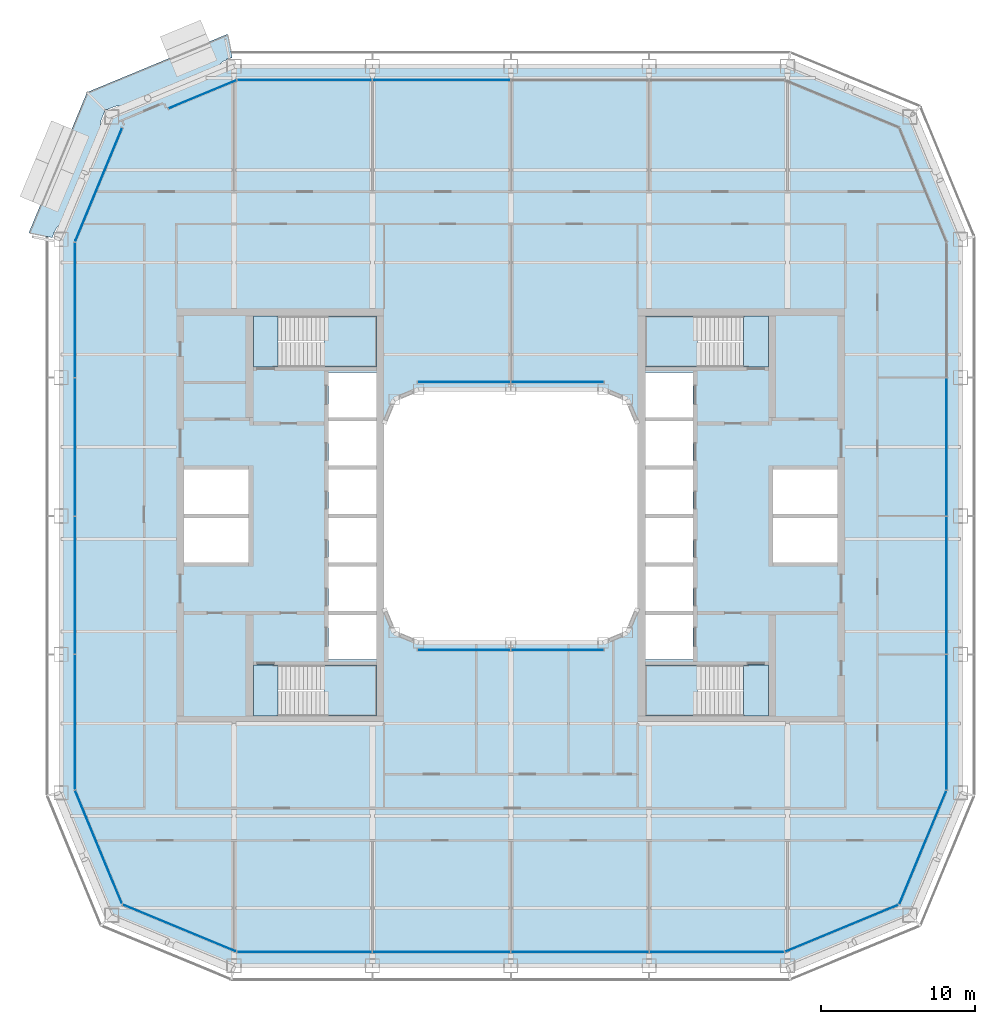
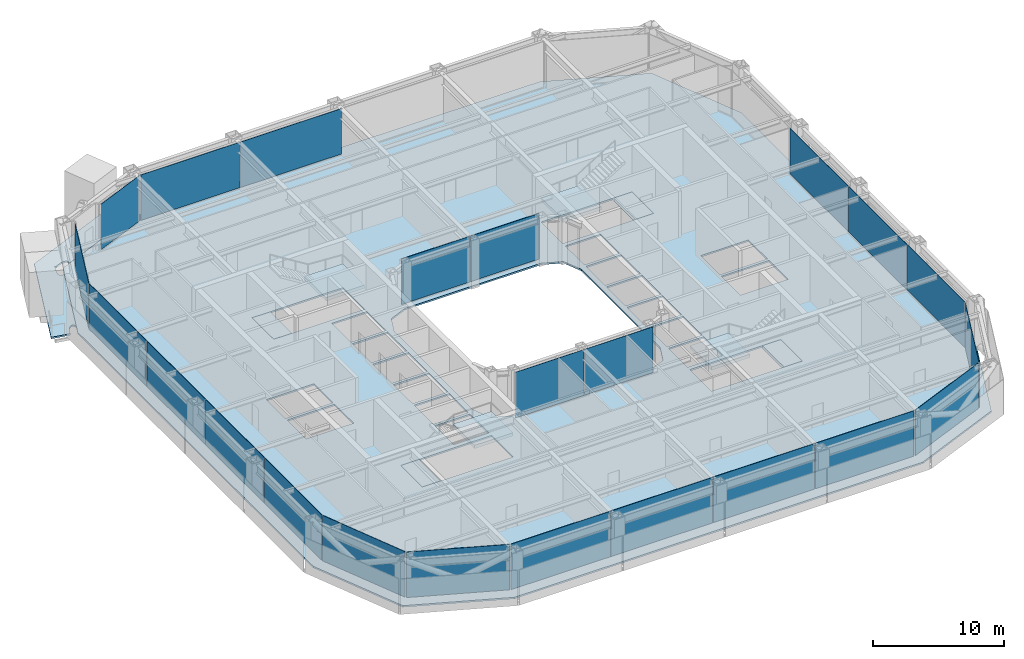
# One storey, part 10 of 23: 23 plates, 10 slabs, 16 elements without a shape of their own.
"""IFC4 building model written with IfcOpenShell, lengths in metres."""

from ifc_helpers import new_model, si_unit, direction, frame, origin, origin_2d, place, context, subcontext, project, spatial, polyline, rectangle, outline, extrude, material, layer, layer_set, type_object, element, aggregate, save


model = new_model("IFC4")

# Units and contexts
model_context = context("Model", 3, precision=1e-05, world=origin(), true_north=direction((0.0, 1.0)))
body_context = subcontext(model_context, "Body", "Model", "MODEL_VIEW")
ifc_project = project(units=[si_unit("LENGTHUNIT", "METRE"), si_unit("AREAUNIT", "SQUARE_METRE"), si_unit("VOLUMEUNIT", "CUBIC_METRE"), si_unit("PLANEANGLEUNIT", "RADIAN"), si_unit("MASSUNIT", "GRAM", prefix="KILO")], contexts=[model_context])

# Site, building, storey
site_placement = place(None, origin())
site = spatial("IfcSite", under=ifc_project, at=site_placement, CompositionType="ELEMENT")
building_placement = place(site_placement, origin())
building = spatial("IfcBuilding", under=site, at=building_placement, Name="Siwar Civic Tower", CompositionType="ELEMENT")
storey_placement = place(building_placement, frame((0.0, 0.0, 136.199951171875)))
storey = spatial("IfcBuildingStorey", under=building, at=storey_placement, Name="L29", CompositionType="ELEMENT", Elevation=136.199951171875)

# Stair, slabs
ifc_material_1 = material(Name="Concrete C40/50", Category="concrete")
stair_type = type_object("IfcStairType", Name="CORE-STAIR", PredefinedType="TWO_STRAIGHT_RUN_STAIR", material=ifc_material_1)
stair_1_placement = place(storey_placement, origin())
stair_1 = element("IfcStair", 1, at=stair_1_placement, inside=storey, type_object=stair_type, Name="Exit stair ST1", PredefinedType="TWO_STRAIGHT_RUN_STAIR")
ifc_material_2 = material(Name="Concrete C40/50", Category="concrete")
ifc_layer_1 = layer(ifc_material_2, 0.300048828125)
ifc_layer_set_1 = layer_set([ifc_layer_1], Name="Concrete C40/50")
slab_type_1 = type_object("IfcSlabType", Name="CORE-STAIR-LANDING", PredefinedType="LANDING", material=ifc_layer_set_1)
slab_1_placement = place(storey_placement, frame((0.0, 0.0, -0.300048828125)))
slab_1 = element("IfcSlab", 2, at=slab_1_placement, type_object=slab_type_1, Name="ST1 landing 1", PredefinedType="LANDING", context=body_context, shape_type="SweptSolid", body=[
    extrude(outline(polyline([(-15.14990234375, 13.0), (-16.75, 13.0), (-16.75, 9.699951171875), (-15.14990234375, 9.699951171875), (-15.14990234375, 13.0)])), origin(), (0.0, 0.0, 1.0), 0.300048828125),
])
slab_2_placement = place(storey_placement, frame((0.0, 0.0, 1.949951171875)))
slab_2 = element("IfcSlab", 3, at=slab_2_placement, type_object=slab_type_1, Name="ST1 landing 2", PredefinedType="LANDING", context=body_context, shape_type="SweptSolid", body=[
    extrude(outline(polyline([(-8.75, 13.0), (-12.139892578125, 13.0), (-12.139892578125, 9.699951171875), (-8.75, 9.699951171875), (-8.75, 13.0)])), origin(), (0.0, 0.0, 1.0), 0.300048828125),
])
aggregate(stair_1, [slab_1, slab_2])

stair_2_placement = place(storey_placement, origin())
stair_2 = element("IfcStair", 4, at=stair_2_placement, inside=storey, type_object=stair_type, Name="Exit stair ST2", PredefinedType="TWO_STRAIGHT_RUN_STAIR")
slab_3_placement = place(storey_placement, frame((0.0, 0.0, -0.300048828125)))
slab_3 = element("IfcSlab", 5, at=slab_3_placement, type_object=slab_type_1, Name="ST2 landing 1", PredefinedType="LANDING", context=body_context, shape_type="SweptSolid", body=[
    extrude(outline(polyline([(-15.14990234375, -9.699951171875), (-16.75, -9.699951171875), (-16.75, -13.0), (-15.14990234375, -13.0), (-15.14990234375, -9.699951171875)])), origin(), (0.0, 0.0, 1.0), 0.300048828125),
])
slab_4_placement = place(storey_placement, frame((0.0, 0.0, 1.949951171875)))
slab_4 = element("IfcSlab", 6, at=slab_4_placement, type_object=slab_type_1, Name="ST2 landing 2", PredefinedType="LANDING", context=body_context, shape_type="SweptSolid", body=[
    extrude(outline(polyline([(-8.75, -9.699951171875), (-12.139892578125, -9.699951171875), (-12.139892578125, -13.0), (-8.75, -13.0), (-8.75, -9.699951171875)])), origin(), (0.0, 0.0, 1.0), 0.300048828125),
])
aggregate(stair_2, [slab_3, slab_4])

stair_3_placement = place(storey_placement, origin())
stair_3 = element("IfcStair", 7, at=stair_3_placement, inside=storey, type_object=stair_type, Name="Exit stair ST3", PredefinedType="TWO_STRAIGHT_RUN_STAIR")
slab_5_placement = place(storey_placement, frame((0.0, 0.0, -0.300048828125)))
slab_5 = element("IfcSlab", 8, at=slab_5_placement, type_object=slab_type_1, Name="ST3 landing 1", PredefinedType="LANDING", context=body_context, shape_type="SweptSolid", body=[
    extrude(outline(polyline([(15.14990234375, 9.699951171875), (16.75, 9.699951171875), (16.75, 13.0), (15.14990234375, 13.0), (15.14990234375, 9.699951171875)])), origin(), (0.0, 0.0, 1.0), 0.300048828125),
])
slab_6_placement = place(storey_placement, frame((0.0, 0.0, 1.949951171875)))
slab_6 = element("IfcSlab", 9, at=slab_6_placement, type_object=slab_type_1, Name="ST3 landing 2", PredefinedType="LANDING", context=body_context, shape_type="SweptSolid", body=[
    extrude(outline(polyline([(8.75, 9.699951171875), (12.139892578125, 9.699951171875), (12.139892578125, 13.0), (8.75, 13.0), (8.75, 9.699951171875)])), origin(), (0.0, 0.0, 1.0), 0.300048828125),
])
aggregate(stair_3, [slab_5, slab_6])

stair_4_placement = place(storey_placement, origin())
stair_4 = element("IfcStair", 10, at=stair_4_placement, inside=storey, type_object=stair_type, Name="Exit stair ST4", PredefinedType="TWO_STRAIGHT_RUN_STAIR")
slab_7_placement = place(storey_placement, frame((0.0, 0.0, -0.300048828125)))
slab_7 = element("IfcSlab", 11, at=slab_7_placement, type_object=slab_type_1, Name="ST4 landing 1", PredefinedType="LANDING", context=body_context, shape_type="SweptSolid", body=[
    extrude(outline(polyline([(15.14990234375, -13.0), (16.75, -13.0), (16.75, -9.699951171875), (15.14990234375, -9.699951171875), (15.14990234375, -13.0)])), origin(), (0.0, 0.0, 1.0), 0.300048828125),
])
slab_8_placement = place(storey_placement, frame((0.0, 0.0, 1.949951171875)))
slab_8 = element("IfcSlab", 12, at=slab_8_placement, type_object=slab_type_1, Name="ST4 landing 2", PredefinedType="LANDING", context=body_context, shape_type="SweptSolid", body=[
    extrude(outline(polyline([(8.75, -13.0), (12.139892578125, -13.0), (12.139892578125, -9.699951171875), (8.75, -9.699951171875), (8.75, -13.0)])), origin(), (0.0, 0.0, 1.0), 0.300048828125),
])
aggregate(stair_4, [slab_7, slab_8])

# Slab
ifc_material_3 = material(Name="Concrete C40/50", Category="concrete")
ifc_layer_2 = layer(ifc_material_3, 0.14990234375)
ifc_layer_set_2 = layer_set([ifc_layer_2], Name="Concrete C40/50")
slab_type_2 = type_object("IfcSlabType", Name="ENV-BALCONY DECK 150", PredefinedType="FLOOR", material=ifc_layer_set_2)
slab_9_placement = place(storey_placement, frame((0.0, 0.0, -0.1494140625)))
element("IfcSlab", 13, at=slab_9_placement, inside=storey, type_object=slab_type_2, Name="Tree balcony deck NW", PredefinedType="FLOOR", context=body_context, shape_type="SweptSolid", body=[
    extrude(outline(polyline([(-26.263427734375, 26.43310546875), (-26.258056640625, 26.435546875), (-26.258056640625, 26.435546875), (-26.2333984375, 26.44580078125), (-26.151611328125, 26.479736328125), (-25.921875, 26.575439453125), (-25.897216796875, 26.585693359375), (-25.88916015625, 26.589111328125), (-25.88720703125, 26.58984375), (-25.81494140625, 26.617431640625), (-25.81005859375, 26.619140625), (-25.74462890625, 26.639404296875), (-25.740234375, 26.640625), (-25.673583984375, 26.65673828125), (-25.669189453125, 26.65771484375), (-25.601806640625, 26.669921875), (-25.59765625, 26.67041015625), (-25.529541015625, 26.6787109375), (-25.523681640625, 26.67919921875), (-25.517578125, 26.67919921875), (-25.406005859375, 26.6748046875), (-25.397216796875, 26.674072265625), (-25.388671875, 26.672119140625), (-25.345703125, 26.66015625), (-25.34130859375, 26.65869140625), (-25.299072265625, 26.64404296875), (-25.29150390625, 26.640869140625), (-25.284423828125, 26.63720703125), (-25.251220703125, 26.61669921875), (-25.247802734375, 26.614501953125), (-25.216064453125, 26.59228515625), (-25.209716796875, 26.58740234375), (-25.203857421875, 26.581787109375), (-25.19873046875, 26.575439453125), (-25.1943359375, 26.56884765625), (-25.190673828125, 26.561767578125), (-25.177001953125, 26.531494140625), (-25.17529296875, 26.52734375), (-25.16357421875, 26.496337890625), (-25.1611328125, 26.488525390625), (-25.159423828125, 26.480712890625), (-25.15869140625, 26.47265625), (-25.15869140625, 26.464599609375), (-25.15966796875, 26.456787109375), (-25.166259765625, 26.418701171875), (-25.167236328125, 26.41455078125), (-25.176025390625, 26.376708984375), (-25.17822265625, 26.368896484375), (-25.181396484375, 26.361328125), (-25.20068359375, 26.321044921875), (-25.202880859375, 26.31689453125), (-25.224609375, 26.27783203125), (-25.2294921875, 26.2705078125), (-25.23486328125, 26.263671875), (-25.25048828125, 26.246826171875), (-18.724609375, 28.949951171875), (-18.77490234375, 28.951904296875), (-18.783447265625, 28.95263671875), (-18.7919921875, 28.95458984375), (-18.835205078125, 28.966552734375), (-18.839599609375, 28.968017578125), (-18.8818359375, 28.982666015625), (-18.889404296875, 28.98583984375), (-18.896484375, 28.98974609375), (-18.9296875, 29.010009765625), (-18.935302734375, 29.013916015625), (-18.940673828125, 29.018310546875), (-18.945556640625, 29.023193359375), (-18.968994140625, 29.048583984375), (-18.971923828125, 29.052001953125), (-18.99365234375, 29.078857421875), (-18.998046875, 29.084716796875), (-19.001708984375, 29.0908203125), (-19.0048828125, 29.097412109375), (-19.00732421875, 29.104248046875), (-19.009033203125, 29.111083984375), (-19.01025390625, 29.118408203125), (-19.013671875, 29.15283203125), (-19.01416015625, 29.1572265625), (-19.015625, 29.19189453125), (-19.015625, 29.19873046875), (-19.01513671875, 29.20556640625), (-19.013671875, 29.21240234375), (-19.0048828125, 29.25), (-19.002685546875, 29.2578125), (-18.99951171875, 29.265380859375), (-18.980224609375, 29.305908203125), (-18.97802734375, 29.309814453125), (-18.956298828125, 29.348876953125), (-18.951416015625, 29.356201171875), (-18.946044921875, 29.363037109375), (-18.870361328125, 29.4453125), (-18.865966796875, 29.44970703125), (-18.861572265625, 29.453369140625), (-18.8076171875, 29.495849609375), (-18.80419921875, 29.498291015625), (-18.748046875, 29.53759765625), (-18.744384765625, 29.5400390625), (-18.68603515625, 29.575927734375), (-18.681884765625, 29.578369140625), (-18.62158203125, 29.610595703125), (-18.616943359375, 29.61279296875), (-18.54638671875, 29.64453125), (-18.54443359375, 29.645263671875), (-18.4951171875, 29.665771484375), (-18.47509765625, 29.674072265625), (-18.47509765625, 29.72509765625), (-18.352783203125, 29.72509765625), (-18.314697265625, 29.740966796875), (-18.232666015625, 29.775146484375), (-18.19970703125, 29.788818359375), (-18.175048828125, 29.798828125), (-18.175048828125, 29.798828125), (-18.16748046875, 29.8017578125), (-18.148193359375, 29.807373046875), (-18.140625, 29.80908203125), (-18.1328125, 29.81005859375), (-18.1123046875, 29.8115234375), (-18.11181640625, 29.8115234375), (-18.417724609375, 31.35009765625), (-27.562255859375, 27.562255859375), (-31.35009765625, 18.417724609375), (-29.80810546875, 18.111083984375), (-29.808349609375, 18.114013671875), (-29.80859375, 18.13037109375), (-29.808349609375, 18.136962890625), (-29.8076171875, 18.1435546875), (-29.80615234375, 18.150146484375), (-29.80224609375, 18.1650390625), (-29.798828125, 18.175048828125), (-29.788818359375, 18.19970703125), (-29.755615234375, 18.279052734375), (-29.740966796875, 18.314697265625), (-29.72509765625, 18.352783203125), (-29.72509765625, 18.47509765625), (-29.674072265625, 18.47509765625), (-29.665771484375, 18.4951171875), (-29.645263671875, 18.54443359375), (-29.64453125, 18.54638671875), (-29.61279296875, 18.616943359375), (-29.610595703125, 18.62158203125), (-29.578369140625, 18.681884765625), (-29.575927734375, 18.68603515625), (-29.5400390625, 18.744384765625), (-29.53759765625, 18.748046875), (-29.498291015625, 18.80419921875), (-29.495849609375, 18.8076171875), (-29.453369140625, 18.861572265625), (-29.44970703125, 18.865966796875), (-29.4453125, 18.870361328125), (-29.363037109375, 18.946044921875), (-29.356201171875, 18.951416015625), (-29.348876953125, 18.956298828125), (-29.309814453125, 18.97802734375), (-29.305908203125, 18.980224609375), (-29.265380859375, 18.99951171875), (-29.2578125, 19.002685546875), (-29.25, 19.0048828125), (-29.21240234375, 19.013671875), (-29.20556640625, 19.01513671875), (-29.19873046875, 19.015625), (-29.19189453125, 19.015625), (-29.1572265625, 19.01416015625), (-29.15283203125, 19.013671875), (-29.118408203125, 19.01025390625), (-29.111083984375, 19.009033203125), (-29.104248046875, 19.00732421875), (-29.097412109375, 19.0048828125), (-29.0908203125, 19.001708984375), (-29.084716796875, 18.998046875), (-29.078857421875, 18.99365234375), (-29.052001953125, 18.971923828125), (-29.048583984375, 18.968994140625), (-29.023193359375, 18.945556640625), (-29.018310546875, 18.940673828125), (-29.013916015625, 18.935302734375), (-29.010009765625, 18.9296875), (-28.98974609375, 18.896484375), (-28.98583984375, 18.889404296875), (-28.982666015625, 18.8818359375), (-28.968017578125, 18.839599609375), (-28.966552734375, 18.835205078125), (-28.95458984375, 18.7919921875), (-28.95263671875, 18.783447265625), (-28.951904296875, 18.77490234375), (-28.949951171875, 18.724609375), (-26.246826171875, 25.25048828125), (-26.263671875, 25.23486328125), (-26.2705078125, 25.2294921875), (-26.27783203125, 25.224609375), (-26.31689453125, 25.202880859375), (-26.321044921875, 25.20068359375), (-26.361328125, 25.181396484375), (-26.368896484375, 25.17822265625), (-26.376708984375, 25.176025390625), (-26.41455078125, 25.167236328125), (-26.418701171875, 25.166259765625), (-26.456787109375, 25.15966796875), (-26.464599609375, 25.15869140625), (-26.47265625, 25.15869140625), (-26.480712890625, 25.159423828125), (-26.488525390625, 25.1611328125), (-26.496337890625, 25.16357421875), (-26.52734375, 25.17529296875), (-26.531494140625, 25.177001953125), (-26.561767578125, 25.190673828125), (-26.56884765625, 25.1943359375), (-26.575439453125, 25.19873046875), (-26.581787109375, 25.203857421875), (-26.58740234375, 25.209716796875), (-26.59228515625, 25.216064453125), (-26.614501953125, 25.247802734375), (-26.61669921875, 25.251220703125), (-26.63720703125, 25.284423828125), (-26.640869140625, 25.29150390625), (-26.64404296875, 25.299072265625), (-26.65869140625, 25.34130859375), (-26.66015625, 25.345703125), (-26.672119140625, 25.388671875), (-26.674072265625, 25.397216796875), (-26.6748046875, 25.406005859375), (-26.67919921875, 25.517578125), (-26.67919921875, 25.523681640625), (-26.6787109375, 25.529541015625), (-26.67041015625, 25.59765625), (-26.669921875, 25.601806640625), (-26.65771484375, 25.669189453125), (-26.65673828125, 25.673583984375), (-26.640625, 25.740234375), (-26.639404296875, 25.74462890625), (-26.619140625, 25.81005859375), (-26.617431640625, 25.81494140625), (-26.58984375, 25.88720703125), (-26.589111328125, 25.88916015625), (-26.585693359375, 25.897216796875), (-26.575439453125, 25.921875), (-26.479736328125, 26.151611328125), (-26.44580078125, 26.2333984375), (-26.435546875, 26.258056640625), (-26.4306640625, 26.267578125), (-26.429931640625, 26.268798828125), (-26.429931640625, 26.429931640625), (-26.26953125, 26.429931640625), (-26.263427734375, 26.43310546875)])), origin(), (0.0, 0.0, 1.0), 0.1494140625),
])

# Curtain wall, plates
ifc_material_4 = material(Name="Aluminium and glass", Category="aluminium")
ifc_layer_3 = layer(ifc_material_4, 0.199951171875)
ifc_layer_set_3 = layer_set([ifc_layer_3], Name="Aluminium and glass")
curtain_wall_type_1 = type_object("IfcCurtainWallType", Name="ENV-CW-B", PredefinedType="NOTDEFINED", material=ifc_layer_set_3)
curtain_wall_1_placement = place(storey_placement, origin())
curtain_wall_1 = element("IfcCurtainWall", 14, at=curtain_wall_1_placement, inside=storey, type_object=curtain_wall_type_1, Name="Curtain wall B S", PredefinedType="NOTDEFINED")
ifc_material_5 = material(Name="Glass clear laminated", Category="glass")
ifc_layer_4 = layer(ifc_material_5, 0.033935546875)
ifc_layer_set_4 = layer_set([ifc_layer_4], Name="Glass clear laminated")
plate_type_1 = type_object("IfcPlateType", Name="ENV-PANEL-B", PredefinedType="CURTAIN_PANEL", material=ifc_layer_set_4)
plate_1_placement = place(storey_placement, frame((-13.410400390625, -28.35009765625, 0.10986328125), z_axis=(0.0, 0.0, 1.0), x_axis=(1.0, 0.0, 0.0)))
plate_1 = element("IfcPlate", 15, at=plate_1_placement, type_object=plate_type_1, Name="Curtain panel B S 1", PredefinedType="CURTAIN_PANEL", context=body_context, shape_type="SweptSolid", body=[
    extrude(rectangle(XDim=8.755859375, YDim=0.033935546875, at=origin_2d()), origin(), (0.0, 0.0, 1.0), 4.239990234375),
])
plate_2_placement = place(storey_placement, frame((-4.5, -28.35009765625, 0.10986328125), z_axis=(0.0, 0.0, 1.0), x_axis=(1.0, 0.0, 0.0)))
plate_2 = element("IfcPlate", 16, at=plate_2_placement, type_object=plate_type_1, Name="Curtain panel B S 2", PredefinedType="CURTAIN_PANEL", context=body_context, shape_type="SweptSolid", body=[
    extrude(rectangle(XDim=8.93505859375, YDim=0.033935546875, at=origin_2d()), origin(), (0.0, 0.0, 1.0), 4.239990234375),
])
plate_3_placement = place(storey_placement, frame((4.5, -28.35009765625, 0.10986328125), z_axis=(0.0, 0.0, 1.0), x_axis=(1.0, 0.0, 0.0)))
plate_3 = element("IfcPlate", 17, at=plate_3_placement, type_object=plate_type_1, Name="Curtain panel B S 3", PredefinedType="CURTAIN_PANEL", context=body_context, shape_type="SweptSolid", body=[
    extrude(rectangle(XDim=8.93505859375, YDim=0.033935546875, at=origin_2d()), origin(), (0.0, 0.0, 1.0), 4.239990234375),
])
plate_4_placement = place(storey_placement, frame((13.369873046875, -28.35009765625, 0.10986328125), z_axis=(0.0, 0.0, 1.0), x_axis=(1.0, 0.0, 0.0)))
plate_4 = element("IfcPlate", 18, at=plate_4_placement, type_object=plate_type_1, Name="Curtain panel B S 4", PredefinedType="CURTAIN_PANEL", context=body_context, shape_type="SweptSolid", body=[
    extrude(rectangle(XDim=8.6748046875, YDim=0.033935546875, at=origin_2d()), origin(), (0.0, 0.0, 1.0), 4.239990234375),
])
aggregate(curtain_wall_1, [plate_1, plate_2, plate_3, plate_4])

curtain_wall_2_placement = place(storey_placement, origin())
curtain_wall_2 = element("IfcCurtainWall", 19, at=curtain_wall_2_placement, inside=storey, type_object=curtain_wall_type_1, Name="Curtain wall B E", PredefinedType="NOTDEFINED")
plate_5_placement = place(storey_placement, frame((28.35009765625, -13.410400390625, 0.10986328125), z_axis=(0.0, 0.0, 1.0), x_axis=(0.0, 1.0, 0.0)))
plate_5 = element("IfcPlate", 20, at=plate_5_placement, type_object=plate_type_1, Name="Curtain panel B E 1", PredefinedType="CURTAIN_PANEL", context=body_context, shape_type="SweptSolid", body=[
    extrude(rectangle(XDim=8.755859375, YDim=0.033935546875, at=origin_2d()), origin(), (0.0, 0.0, 1.0), 4.239990234375),
])
plate_6_placement = place(storey_placement, frame((28.35009765625, -4.5, 0.10986328125), z_axis=(0.0, 0.0, 1.0), x_axis=(0.0, 1.0, 0.0)))
plate_6 = element("IfcPlate", 21, at=plate_6_placement, type_object=plate_type_1, Name="Curtain panel B E 2", PredefinedType="CURTAIN_PANEL", context=body_context, shape_type="SweptSolid", body=[
    extrude(rectangle(XDim=8.93505859375, YDim=0.033935546875, at=origin_2d()), origin(), (0.0, 0.0, 1.0), 4.239990234375),
])
plate_7_placement = place(storey_placement, frame((28.35009765625, 4.5, 0.10986328125), z_axis=(0.0, 0.0, 1.0), x_axis=(0.0, 1.0, 0.0)))
plate_7 = element("IfcPlate", 22, at=plate_7_placement, type_object=plate_type_1, Name="Curtain panel B E 3", PredefinedType="CURTAIN_PANEL", context=body_context, shape_type="SweptSolid", body=[
    extrude(rectangle(XDim=8.93505859375, YDim=0.033935546875, at=origin_2d()), origin(), (0.0, 0.0, 1.0), 4.239990234375),
])
aggregate(curtain_wall_2, [plate_5, plate_6, plate_7])

curtain_wall_3_placement = place(storey_placement, origin())
curtain_wall_3 = element("IfcCurtainWall", 23, at=curtain_wall_3_placement, inside=storey, type_object=curtain_wall_type_1, Name="Curtain wall B N", PredefinedType="NOTDEFINED")
plate_8_placement = place(storey_placement, frame((-4.5, 28.35009765625, 0.10986328125), z_axis=(0.0, 0.0, 1.0), x_axis=(-1.0, 0.0, 0.0)))
plate_8 = element("IfcPlate", 24, at=plate_8_placement, type_object=plate_type_1, Name="Curtain panel B N 3", PredefinedType="CURTAIN_PANEL", context=body_context, shape_type="SweptSolid", body=[
    extrude(rectangle(XDim=8.93505859375, YDim=0.033935546875, at=origin_2d()), origin(), (0.0, 0.0, 1.0), 4.239990234375),
])
plate_9_placement = place(storey_placement, frame((-13.369873046875, 28.35009765625, 0.10986328125), z_axis=(0.0, 0.0, 1.0), x_axis=(-1.0, 0.0, 0.0)))
plate_9 = element("IfcPlate", 25, at=plate_9_placement, type_object=plate_type_1, Name="Curtain panel B N 4", PredefinedType="CURTAIN_PANEL", context=body_context, shape_type="SweptSolid", body=[
    extrude(rectangle(XDim=8.6748046875, YDim=0.033935546875, at=origin_2d()), origin(), (0.0, 0.0, 1.0), 4.239990234375),
])
aggregate(curtain_wall_3, [plate_8, plate_9])

curtain_wall_4_placement = place(storey_placement, origin())
curtain_wall_4 = element("IfcCurtainWall", 26, at=curtain_wall_4_placement, inside=storey, type_object=curtain_wall_type_1, Name="Curtain wall B W", PredefinedType="NOTDEFINED")
plate_10_placement = place(storey_placement, frame((-28.35009765625, 13.410400390625, 0.10986328125), z_axis=(0.0, 0.0, 1.0), x_axis=(0.0, -1.0, 0.0)))
plate_10 = element("IfcPlate", 27, at=plate_10_placement, type_object=plate_type_1, Name="Curtain panel B W 1", PredefinedType="CURTAIN_PANEL", context=body_context, shape_type="SweptSolid", body=[
    extrude(rectangle(XDim=8.755859375, YDim=0.033935546875, at=origin_2d()), origin(), (0.0, 0.0, 1.0), 4.239990234375),
])
plate_11_placement = place(storey_placement, frame((-28.35009765625, 4.5, 0.10986328125), z_axis=(0.0, 0.0, 1.0), x_axis=(0.0, -1.0, 0.0)))
plate_11 = element("IfcPlate", 28, at=plate_11_placement, type_object=plate_type_1, Name="Curtain panel B W 2", PredefinedType="CURTAIN_PANEL", context=body_context, shape_type="SweptSolid", body=[
    extrude(rectangle(XDim=8.93505859375, YDim=0.033935546875, at=origin_2d()), origin(), (0.0, 0.0, 1.0), 4.239990234375),
])
plate_12_placement = place(storey_placement, frame((-28.35009765625, -4.5, 0.10986328125), z_axis=(0.0, 0.0, 1.0), x_axis=(0.0, -1.0, 0.0)))
plate_12 = element("IfcPlate", 29, at=plate_12_placement, type_object=plate_type_1, Name="Curtain panel B W 3", PredefinedType="CURTAIN_PANEL", context=body_context, shape_type="SweptSolid", body=[
    extrude(rectangle(XDim=8.93505859375, YDim=0.033935546875, at=origin_2d()), origin(), (0.0, 0.0, 1.0), 4.239990234375),
])
plate_13_placement = place(storey_placement, frame((-28.35009765625, -13.369873046875, 0.10986328125), z_axis=(0.0, 0.0, 1.0), x_axis=(0.0, -1.0, 0.0)))
plate_13 = element("IfcPlate", 30, at=plate_13_placement, type_object=plate_type_1, Name="Curtain panel B W 4", PredefinedType="CURTAIN_PANEL", context=body_context, shape_type="SweptSolid", body=[
    extrude(rectangle(XDim=8.6748046875, YDim=0.033935546875, at=origin_2d()), origin(), (0.0, 0.0, 1.0), 4.239990234375),
])
aggregate(curtain_wall_4, [plate_10, plate_11, plate_12, plate_13])

# Curtain wall, plate
ifc_material_6 = material(Name="Aluminium clad insulated panel", Category="aluminium")
ifc_layer_5 = layer(ifc_material_6, 0.199951171875)
ifc_layer_set_5 = layer_set([ifc_layer_5], Name="Aluminium clad insulated panel")
curtain_wall_type_2 = type_object("IfcCurtainWallType", Name="ENV-CW-BX", PredefinedType="NOTDEFINED", material=ifc_layer_set_5)
curtain_wall_5_placement = place(storey_placement, origin())
curtain_wall_5 = element("IfcCurtainWall", 31, at=curtain_wall_5_placement, inside=storey, type_object=curtain_wall_type_2, Name="Curtain wall B SE1", PredefinedType="NOTDEFINED")
ifc_material_7 = material(Name="Aluminium clad insulated panel", Category="aluminium")
ifc_layer_6 = layer(ifc_material_7, 0.033935546875)
ifc_layer_set_6 = layer_set([ifc_layer_6], Name="Aluminium clad insulated panel")
plate_type_2 = type_object("IfcPlateType", Name="ENV-PANEL-BX", PredefinedType="CURTAIN_PANEL", material=ifc_layer_set_6)
plate_14_placement = place(storey_placement, frame((21.506103515625, -26.823486328125, 0.10986328125), z_axis=(0.0, 0.0, 1.0), x_axis=(0.923879532511, 0.382683432365, 0.0)))
plate_14 = element("IfcPlate", 32, at=plate_14_placement, type_object=plate_type_2, Name="Curtain panel B SE1 1", PredefinedType="CURTAIN_PANEL", context=body_context, shape_type="SweptSolid", body=[
    extrude(rectangle(XDim=7.912353515625, YDim=0.033935546875, at=origin_2d()), origin(), (0.0, 0.0, 1.0), 4.239990234375),
])
aggregate(curtain_wall_5, [plate_14])

curtain_wall_6_placement = place(storey_placement, origin())
curtain_wall_6 = element("IfcCurtainWall", 33, at=curtain_wall_6_placement, inside=storey, type_object=curtain_wall_type_2, Name="Curtain wall B SE2", PredefinedType="NOTDEFINED")
plate_15_placement = place(storey_placement, frame((26.79248046875, -21.5810546875, 0.10986328125), z_axis=(0.0, 0.0, 1.0), x_axis=(0.382683432365, 0.923879532511, 0.0)))
plate_15 = element("IfcPlate", 34, at=plate_15_placement, type_object=plate_type_2, Name="Curtain panel B SE2 1", PredefinedType="CURTAIN_PANEL", context=body_context, shape_type="SweptSolid", body=[
    extrude(rectangle(XDim=7.912353515625, YDim=0.033935546875, at=origin_2d()), origin(), (0.0, 0.0, 1.0), 4.239990234375),
])
aggregate(curtain_wall_6, [plate_15])

curtain_wall_7_placement = place(storey_placement, origin())
curtain_wall_7 = element("IfcCurtainWall", 35, at=curtain_wall_7_placement, inside=storey, type_object=curtain_wall_type_2, Name="Curtain wall B NW1", PredefinedType="NOTDEFINED")
plate_16_placement = place(storey_placement, frame((-20.06005859375, 27.422607421875, 0.10986328125), z_axis=(0.0, 0.0, 1.0), x_axis=(-0.923879532511, -0.382683432365, 0.0)))
plate_16 = element("IfcPlate", 36, at=plate_16_placement, type_object=plate_type_2, Name="Curtain panel B NW1 1", PredefinedType="CURTAIN_PANEL", context=body_context, shape_type="SweptSolid", body=[
    extrude(rectangle(XDim=4.7822265625, YDim=0.033935546875, at=origin_2d()), origin(), (0.0, 0.0, 1.0), 4.239990234375),
])
aggregate(curtain_wall_7, [plate_16])

curtain_wall_8_placement = place(storey_placement, origin())
curtain_wall_8 = element("IfcCurtainWall", 37, at=curtain_wall_8_placement, inside=storey, type_object=curtain_wall_type_2, Name="Curtain wall B NW2", PredefinedType="NOTDEFINED")
plate_17_placement = place(storey_placement, frame((-26.79248046875, 21.5810546875, 0.10986328125), z_axis=(0.0, 0.0, 1.0), x_axis=(-0.382683432365, -0.923879532511, 0.0)))
plate_17 = element("IfcPlate", 38, at=plate_17_placement, type_object=plate_type_2, Name="Curtain panel B NW2 1", PredefinedType="CURTAIN_PANEL", context=body_context, shape_type="SweptSolid", body=[
    extrude(rectangle(XDim=7.912353515625, YDim=0.033935546875, at=origin_2d()), origin(), (0.0, 0.0, 1.0), 4.239990234375),
])
aggregate(curtain_wall_8, [plate_17])

curtain_wall_9_placement = place(storey_placement, origin())
curtain_wall_9 = element("IfcCurtainWall", 39, at=curtain_wall_9_placement, inside=storey, type_object=curtain_wall_type_2, Name="Curtain wall B SW1", PredefinedType="NOTDEFINED")
plate_18_placement = place(storey_placement, frame((-26.823486328125, -21.506103515625, 0.10986328125), z_axis=(0.0, 0.0, 1.0), x_axis=(0.382683432365, -0.923879532511, 0.0)))
plate_18 = element("IfcPlate", 40, at=plate_18_placement, type_object=plate_type_2, Name="Curtain panel B SW1 1", PredefinedType="CURTAIN_PANEL", context=body_context, shape_type="SweptSolid", body=[
    extrude(rectangle(XDim=7.912353515625, YDim=0.033935546875, at=origin_2d()), origin(), (0.0, 0.0, 1.0), 4.239990234375),
])
aggregate(curtain_wall_9, [plate_18])

curtain_wall_10_placement = place(storey_placement, origin())
curtain_wall_10 = element("IfcCurtainWall", 41, at=curtain_wall_10_placement, inside=storey, type_object=curtain_wall_type_2, Name="Curtain wall B SW2", PredefinedType="NOTDEFINED")
plate_19_placement = place(storey_placement, frame((-21.5810546875, -26.79248046875, 0.10986328125), z_axis=(0.0, 0.0, 1.0), x_axis=(0.923879532511, -0.382683432365, 0.0)))
plate_19 = element("IfcPlate", 42, at=plate_19_placement, type_object=plate_type_2, Name="Curtain panel B SW2 1", PredefinedType="CURTAIN_PANEL", context=body_context, shape_type="SweptSolid", body=[
    extrude(rectangle(XDim=7.912353515625, YDim=0.033935546875, at=origin_2d()), origin(), (0.0, 0.0, 1.0), 4.239990234375),
])
aggregate(curtain_wall_10, [plate_19])

# Curtain wall, plates
ifc_material_8 = material(Name="Aluminium and glass", Category="aluminium")
ifc_layer_7 = layer(ifc_material_8, 0.179931640625)
ifc_layer_set_7 = layer_set([ifc_layer_7], Name="Aluminium and glass")
curtain_wall_type_3 = type_object("IfcCurtainWallType", Name="ENV-CW-W", PredefinedType="NOTDEFINED", material=ifc_layer_set_7)
curtain_wall_11_placement = place(storey_placement, origin())
curtain_wall_11 = element("IfcCurtainWall", 43, at=curtain_wall_11_placement, inside=storey, type_object=curtain_wall_type_3, Name="Curtain wall W WS", PredefinedType="NOTDEFINED")
ifc_material_9 = material(Name="Glass clear laminated", Category="glass")
ifc_layer_8 = layer(ifc_material_9, 0.031982421875)
ifc_layer_set_8 = layer_set([ifc_layer_8], Name="Glass clear laminated")
plate_type_3 = type_object("IfcPlateType", Name="ENV-PANEL-W", PredefinedType="CURTAIN_PANEL", material=ifc_layer_set_8)
plate_20_placement = place(storey_placement, frame((-3.045654296875, -8.7099609375, 0.10009765625), z_axis=(0.0, 0.0, 1.0), x_axis=(1.0, 0.0, 0.0)))
plate_20 = element("IfcPlate", 44, at=plate_20_placement, type_object=plate_type_3, Name="Curtain panel W WS 1", PredefinedType="CURTAIN_PANEL", context=body_context, shape_type="SweptSolid", body=[
    extrude(rectangle(XDim=6.031494140625, YDim=0.031982421875, at=origin_2d()), origin(), (0.0, 0.0, 1.0), 4.25),
])
plate_21_placement = place(storey_placement, frame((3.045654296875, -8.7099609375, 0.10009765625), z_axis=(0.0, 0.0, 1.0), x_axis=(1.0, 0.0, 0.0)))
plate_21 = element("IfcPlate", 45, at=plate_21_placement, type_object=plate_type_3, Name="Curtain panel W WS 2", PredefinedType="CURTAIN_PANEL", context=body_context, shape_type="SweptSolid", body=[
    extrude(rectangle(XDim=6.031494140625, YDim=0.031982421875, at=origin_2d()), origin(), (0.0, 0.0, 1.0), 4.25),
])
aggregate(curtain_wall_11, [plate_20, plate_21])

curtain_wall_12_placement = place(storey_placement, origin())
curtain_wall_12 = element("IfcCurtainWall", 46, at=curtain_wall_12_placement, inside=storey, type_object=curtain_wall_type_3, Name="Curtain wall W WN", PredefinedType="NOTDEFINED")
plate_22_placement = place(storey_placement, frame((3.045654296875, 8.7099609375, 0.10009765625), z_axis=(0.0, 0.0, 1.0), x_axis=(-1.0, 0.0, 0.0)))
plate_22 = element("IfcPlate", 47, at=plate_22_placement, type_object=plate_type_3, Name="Curtain panel W WN 1", PredefinedType="CURTAIN_PANEL", context=body_context, shape_type="SweptSolid", body=[
    extrude(rectangle(XDim=6.031494140625, YDim=0.031982421875, at=origin_2d()), origin(), (0.0, 0.0, 1.0), 4.25),
])
plate_23_placement = place(storey_placement, frame((-3.045654296875, 8.7099609375, 0.10009765625), z_axis=(0.0, 0.0, 1.0), x_axis=(-1.0, 0.0, 0.0)))
plate_23 = element("IfcPlate", 48, at=plate_23_placement, type_object=plate_type_3, Name="Curtain panel W WN 2", PredefinedType="CURTAIN_PANEL", context=body_context, shape_type="SweptSolid", body=[
    extrude(rectangle(XDim=6.031494140625, YDim=0.031982421875, at=origin_2d()), origin(), (0.0, 0.0, 1.0), 4.25),
])
aggregate(curtain_wall_12, [plate_22, plate_23])

# Slab
ifc_material_10 = material(Name="Concrete C40/50", Category="concrete")
ifc_layer_9 = layer(ifc_material_10, 0.14990234375)
ifc_layer_set_9 = layer_set([ifc_layer_9], Name="Concrete C40/50")
slab_type_3 = type_object("IfcSlabType", Name="STR-FLOOR-DECK-150", PredefinedType="FLOOR", material=ifc_layer_set_9)
slab_10_placement = place(storey_placement, frame((0.0, 0.0, -0.14990234375)))
element("IfcSlab", 49, at=slab_10_placement, inside=storey, type_object=slab_type_3, Name="L29/slab/1", PredefinedType="FLOOR", context=body_context, shape_type="SweptSolid", body=[
    extrude(outline(polyline([(-18.0, -29.25), (18.0, -29.25), (25.954833984375, -25.954833984375), (29.25, -18.0), (29.25, 18.0), (25.954833984375, 25.954833984375), (18.0, 29.25), (-18.0, 29.25), (-25.954833984375, 25.954833984375), (-29.25, 18.0), (-29.25, -18.0), (-25.954833984375, -25.954833984375), (-18.0, -29.25)]), holes=[polyline([(21.25, 3.02490234375), (21.25, 0.125), (17.050048828125, 0.125), (17.050048828125, 3.02490234375), (21.25, 3.02490234375)]), polyline([(17.050048828125, -0.125), (21.25, -0.125), (21.25, -3.02490234375), (17.050048828125, -3.02490234375), (17.050048828125, -0.125)]), polyline([(16.75, 13.0), (16.75, 9.699951171875), (8.75, 9.699951171875), (8.75, 13.0), (16.75, 13.0)]), polyline([(8.75, -9.699951171875), (16.75, -9.699951171875), (16.75, -13.0), (8.75, -13.0), (8.75, -9.699951171875)]), polyline([(11.85009765625, 9.324951171875), (11.85009765625, 6.425048828125), (8.75, 6.425048828125), (8.75, 9.324951171875), (11.85009765625, 9.324951171875)]), polyline([(11.85009765625, 3.02490234375), (11.85009765625, 0.125), (8.75, 0.125), (8.75, 3.02490234375), (11.85009765625, 3.02490234375)]), polyline([(11.85009765625, -0.125), (11.85009765625, -3.02490234375), (8.75, -3.02490234375), (8.75, -0.125), (11.85009765625, -0.125)]), polyline([(11.85009765625, -3.27490234375), (11.85009765625, -6.175048828125), (8.75, -6.175048828125), (8.75, -3.27490234375), (11.85009765625, -3.27490234375)]), polyline([(8.75, 6.175048828125), (11.85009765625, 6.175048828125), (11.85009765625, 3.27490234375), (8.75, 3.27490234375), (8.75, 6.175048828125)]), polyline([(8.75, -6.425048828125), (11.85009765625, -6.425048828125), (11.85009765625, -9.324951171875), (8.75, -9.324951171875), (8.75, -6.425048828125)]), polyline([(-6.0, 8.25), (6.0, 8.25), (7.591064453125, 7.591064453125), (8.25, 6.0), (8.25, -6.0), (7.591064453125, -7.591064453125), (6.0, -8.25), (-6.0, -8.25), (-7.591064453125, -7.591064453125), (-8.25, -6.0), (-8.25, 6.0), (-7.591064453125, 7.591064453125), (-6.0, 8.25)]), polyline([(-8.75, 9.699951171875), (-16.75, 9.699951171875), (-16.75, 13.0), (-8.75, 13.0), (-8.75, 9.699951171875)]), polyline([(-8.75, 0.125), (-11.85009765625, 0.125), (-11.85009765625, 3.02490234375), (-8.75, 3.02490234375), (-8.75, 0.125)]), polyline([(-8.75, -6.175048828125), (-11.85009765625, -6.175048828125), (-11.85009765625, -3.27490234375), (-8.75, -3.27490234375), (-8.75, -6.175048828125)]), polyline([(-8.75, -9.324951171875), (-11.85009765625, -9.324951171875), (-11.85009765625, -6.425048828125), (-8.75, -6.425048828125), (-8.75, -9.324951171875)]), polyline([(-8.75, -13.0), (-16.75, -13.0), (-16.75, -9.699951171875), (-8.75, -9.699951171875), (-8.75, -13.0)]), polyline([(-11.85009765625, 6.425048828125), (-11.85009765625, 9.324951171875), (-8.75, 9.324951171875), (-8.75, 6.425048828125), (-11.85009765625, 6.425048828125)]), polyline([(-11.85009765625, 3.27490234375), (-11.85009765625, 6.175048828125), (-8.75, 6.175048828125), (-8.75, 3.27490234375), (-11.85009765625, 3.27490234375)]), polyline([(-11.85009765625, -3.02490234375), (-11.85009765625, -0.125), (-8.75, -0.125), (-8.75, -3.02490234375), (-11.85009765625, -3.02490234375)]), polyline([(-21.25, -3.02490234375), (-21.25, -0.125), (-17.050048828125, -0.125), (-17.050048828125, -3.02490234375), (-21.25, -3.02490234375)]), polyline([(-17.050048828125, 0.125), (-21.25, 0.125), (-21.25, 3.02490234375), (-17.050048828125, 3.02490234375), (-17.050048828125, 0.125)])]), origin(), (0.0, 0.0, 1.0), 0.14990234375),
])

save(model, "model.ifc")
